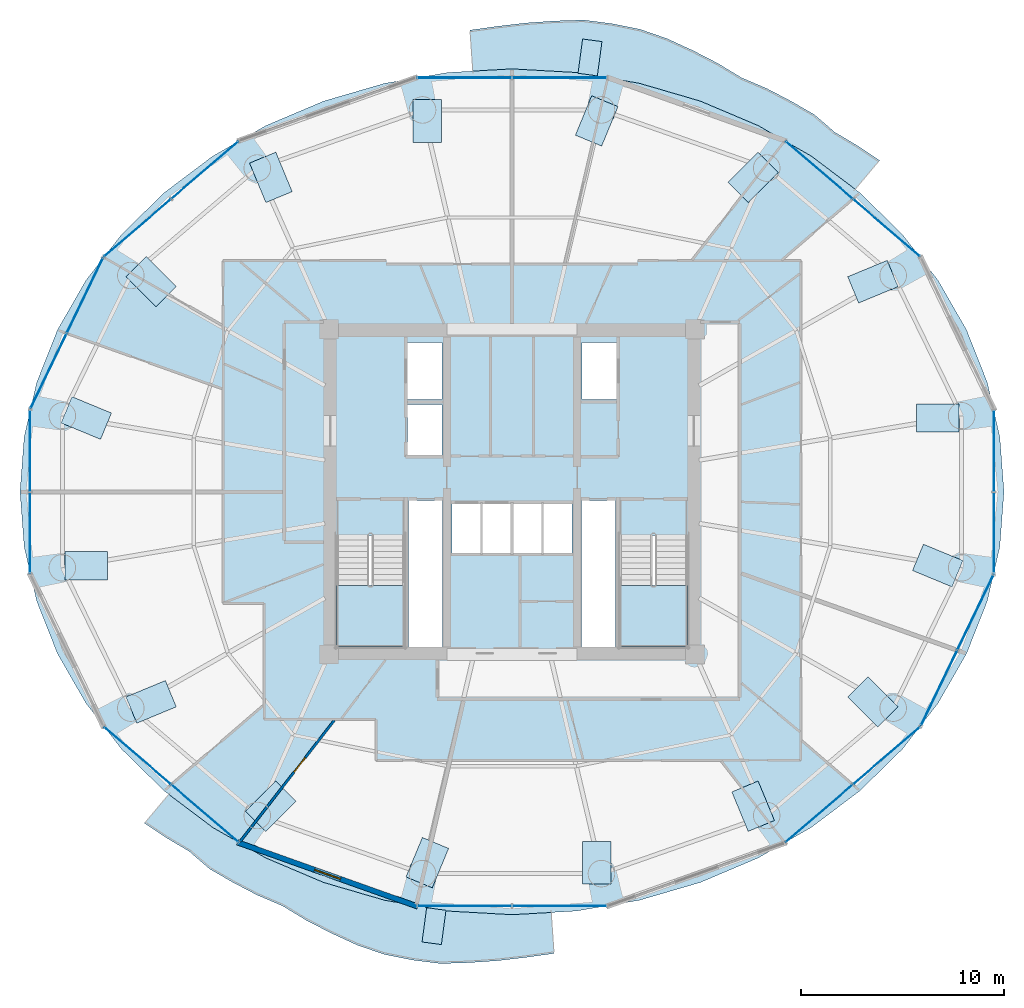
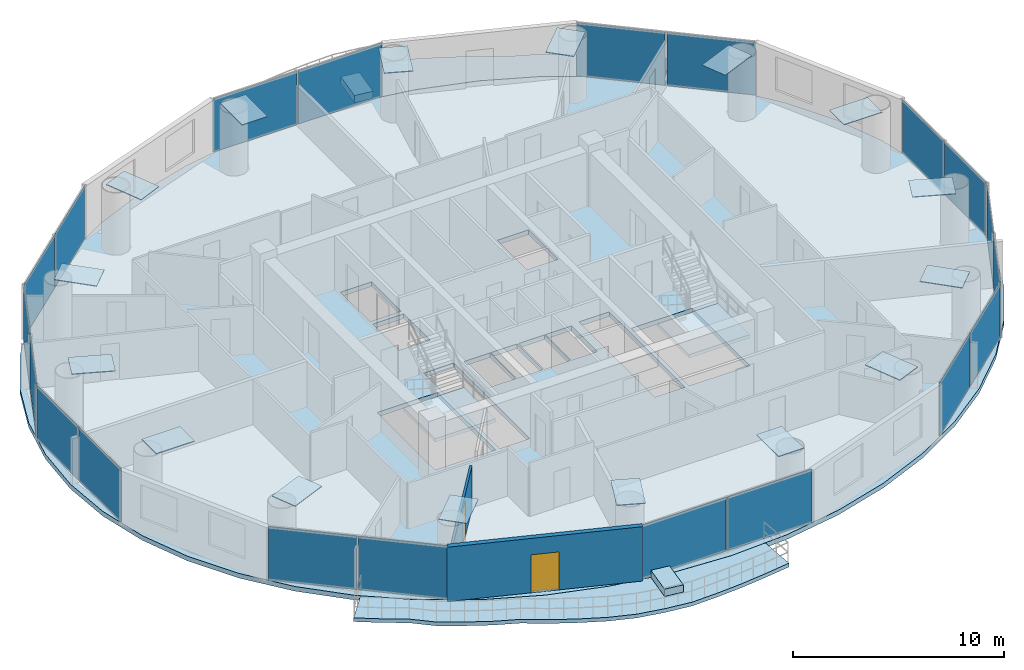
# One storey, part 19 of 26: 36 plates, 7 slabs, 2 doors, 2 walls, 2 openings, 12 elements without a shape of their own.
"""IFC4 building model written with IfcOpenShell, lengths in metres."""

from ifc_helpers import new_model, si_unit, direction, frame, frame_2d, origin, origin_2d, place, context, subcontext, project, spatial, polyline, rectangle, outline, extrude, source, transform, mapped, material, layer, layer_set, type_object, element, fill, aggregate, save


model = new_model("IFC4")

# Units and contexts
model_context = context("Model", 3, precision=1e-05, world=origin(), true_north=direction((-0.2419218956, 0.970295726276)))
body_context = subcontext(model_context, "Body", "Model", "MODEL_VIEW")
ifc_project = project(units=[si_unit("LENGTHUNIT", "METRE"), si_unit("AREAUNIT", "SQUARE_METRE"), si_unit("VOLUMEUNIT", "CUBIC_METRE"), si_unit("PLANEANGLEUNIT", "RADIAN"), si_unit("MASSUNIT", "GRAM", prefix="KILO")], contexts=[model_context])

# Site, building, storey
site_placement = place(None, origin())
site = spatial("IfcSite", under=ifc_project, at=site_placement, CompositionType="ELEMENT")
building_placement = place(site_placement, origin())
building = spatial("IfcBuilding", under=site, at=building_placement, Name="Cobrevalo Terracotta Tower", CompositionType="ELEMENT")
storey_placement = place(building_placement, frame((0.0, 0.0, 182.199951171875)))
storey = spatial("IfcBuildingStorey", under=building, at=storey_placement, Name="L48", CompositionType="ELEMENT", Elevation=182.199951171875)

# Stair, slab
ifc_material_1 = material(Name="Concrete C50", Category="concrete")
stair_type = type_object("IfcStairType", Name="Core protected escape dogleg stair 1600", PredefinedType="HALF_TURN_STAIR", material=ifc_material_1)
stair_1_placement = place(storey_placement, origin())
stair_1 = element("IfcStair", 1, at=stair_1_placement, inside=storey, type_object=stair_type, Name="L48 Protected exit stair ST-1", PredefinedType="HALF_TURN_STAIR")
ifc_layer_1 = layer(ifc_material_1, 0.199951171875)
ifc_layer_set_1 = layer_set([ifc_layer_1], Name="Concrete C50")
slab_type_1 = type_object("IfcSlabType", Name="Reinforced Concrete Stair Landing 200", PredefinedType="LANDING", material=ifc_layer_set_1)
slab_1_placement = place(storey_placement, frame((0.0, 0.0, 1.60009765625)))
slab_1 = element("IfcSlab", 2, at=slab_1_placement, type_object=slab_type_1, Name="ST-1 landing 1", PredefinedType="LANDING", context=body_context, shape_type="SweptSolid", body=[
    extrude(outline(polyline([(29.375, 22.179931640625), (29.375, 19.175048828125), (32.695068359375, 19.175048828125), (32.695068359375, 22.179931640625), (29.375, 22.179931640625)])), origin(), (0.0, 0.0, 1.0), 0.199951171875),
])
aggregate(stair_1, [slab_1])

stair_2_placement = place(storey_placement, origin())
stair_2 = element("IfcStair", 3, at=stair_2_placement, inside=storey, type_object=stair_type, Name="L48 Protected exit stair ST-2", PredefinedType="HALF_TURN_STAIR")
slab_2_placement = place(storey_placement, frame((0.0, 0.0, 1.60009765625)))
slab_2 = element("IfcSlab", 4, at=slab_2_placement, type_object=slab_type_1, Name="ST-2 landing 1", PredefinedType="LANDING", context=body_context, shape_type="SweptSolid", body=[
    extrude(outline(polyline([(43.304931640625, 22.179931640625), (43.304931640625, 19.175048828125), (46.625, 19.175048828125), (46.625, 22.179931640625), (43.304931640625, 22.179931640625)])), origin(), (0.0, 0.0, 1.0), 0.199951171875),
])
aggregate(stair_2, [slab_2])

# Slabs
ifc_material_2 = material(Name="Concrete C45", Category="concrete")
ifc_layer_2 = layer(ifc_material_2, 0.219970703125)
ifc_layer_set_2 = layer_set([ifc_layer_2], Name="Concrete C45")
slab_type_2 = type_object("IfcSlabType", Name="Spiralling cantilevered balcony lobe slab 220 mm", PredefinedType="FLOOR", material=ifc_layer_set_2)
slab_3_placement = place(storey_placement, frame((0.0, 0.0, -0.219970703125)))
element("IfcSlab", 5, at=slab_3_placement, inside=storey, type_object=slab_type_2, Name="L48 spiralling arc balcony slab lobe 1", PredefinedType="FLOOR", context=body_context, shape_type="SweptSolid", body=[
    extrude(outline(polyline([(56.08544921875, 43.096435546875), (54.9912109375, 43.822998046875), (53.86962890625, 44.491943359375), (52.861083984375, 45.360595703125), (51.70849609375, 46.022216796875), (50.5283203125, 46.63916015625), (49.28955078125, 47.166259765625), (48.118408203125, 47.876708984375), (46.885009765625, 48.511962890625), (45.611572265625, 49.096435546875), (44.286376953125, 49.552490234375), (42.90771484375, 49.82958984375), (41.514404296875, 50.005859375), (40.099609375, 49.9609375), (38.695068359375, 49.86181640625), (37.306396484375, 49.700439453125), (35.929443359375, 49.507080078125), (36.068359375, 47.4931640625), (38.0, 47.60205078125), (41.158935546875, 47.424072265625), (44.263916015625, 46.893310546875), (47.26171875, 46.0185546875), (50.10107421875, 44.81494140625), (52.733154296875, 43.30322265625), (54.89306640625, 41.67529296875), (56.08544921875, 43.096435546875)])), origin(), (0.0, 0.0, 1.0), 0.219970703125),
])
slab_4_placement = place(storey_placement, frame((0.0, 0.0, -0.219970703125)))
element("IfcSlab", 6, at=slab_4_placement, inside=storey, type_object=slab_type_2, Name="L48 spiralling arc balcony slab lobe 2", PredefinedType="FLOOR", context=body_context, shape_type="SweptSolid", body=[
    extrude(outline(polyline([(19.91455078125, 10.503662109375), (21.0087890625, 9.777099609375), (22.13037109375, 9.10791015625), (23.138916015625, 8.239501953125), (24.29150390625, 7.577880859375), (25.4716796875, 6.9609375), (26.71044921875, 6.433837890625), (27.881591796875, 5.72314453125), (29.114990234375, 5.088134765625), (30.388427734375, 4.50341796875), (31.713623046875, 4.047607421875), (33.09228515625, 3.770263671875), (34.485595703125, 3.593994140625), (35.900390625, 3.63916015625), (37.304931640625, 3.738037109375), (38.693603515625, 3.8994140625), (40.070556640625, 4.093017578125), (39.931640625, 6.10693359375), (38.0, 5.998046875), (34.841064453125, 6.176025390625), (31.736083984375, 6.706787109375), (28.73828125, 7.58154296875), (25.89892578125, 8.784912109375), (23.266845703125, 10.296630859375), (21.10693359375, 11.9248046875), (19.91455078125, 10.503662109375)])), origin(), (0.0, 0.0, 1.0), 0.219970703125),
])
ifc_material_3 = material(Name="Precast concrete C45", Category="concrete")
ifc_layer_3 = layer(ifc_material_3, 0.419921875)
ifc_layer_set_3 = layer_set([ifc_layer_3], Name="Precast concrete C45")
slab_type_3 = type_object("IfcSlabType", Name="Structural tree planter trough base 420 mm", PredefinedType="USERDEFINED", material=ifc_layer_set_3)
slab_5_placement = place(storey_placement, origin())
element("IfcSlab", 7, at=slab_5_placement, inside=storey, type_object=slab_type_3, Name="L48 structural tree planter trough 1", ObjectType="PLANTER", PredefinedType="USERDEFINED", context=body_context, shape_type="SweptSolid", body=[
    extrude(outline(polyline([(42.19873046875, 47.25830078125), (42.424560546875, 48.943359375), (41.472900390625, 49.07080078125), (41.247314453125, 47.3857421875), (42.19873046875, 47.25830078125)])), origin(), (0.0, 0.0, 1.0), 0.420166015625),
])
slab_6_placement = place(storey_placement, origin())
element("IfcSlab", 8, at=slab_6_placement, inside=storey, type_object=slab_type_3, Name="L48 structural tree planter trough 2", ObjectType="PLANTER", PredefinedType="USERDEFINED", context=body_context, shape_type="SweptSolid", body=[
    extrude(outline(polyline([(33.80126953125, 6.341552734375), (33.575439453125, 4.65673828125), (34.527099609375, 4.529296875), (34.752685546875, 6.214111328125), (33.80126953125, 6.341552734375)])), origin(), (0.0, 0.0, 1.0), 0.420166015625),
])
ifc_layer_4 = layer(ifc_material_1, 0.27001953125)
ifc_layer_set_4 = layer_set([ifc_layer_4], Name="Concrete C50")
slab_type_4 = type_object("IfcSlabType", Name="Zone Z3 elliptical floor plate 270 mm", PredefinedType="FLOOR", material=ifc_layer_set_4)
slab_7_placement = place(storey_placement, frame((0.0, 0.0, -0.27001953125)))
element("IfcSlab", 9, at=slab_7_placement, inside=storey, type_object=slab_type_4, Name="L48 indoor elliptical floor slab", PredefinedType="FLOOR", context=body_context, shape_type="SweptSolid", body=[
    extrude(outline(polyline([(61.992919921875, 24.0849609375), (61.37548828125, 21.41650390625), (60.35791015625, 18.840087890625), (58.957763671875, 16.39990234375), (57.19921875, 14.1376953125), (55.112060546875, 12.09228515625), (52.73193359375, 10.29833984375), (50.10009765625, 8.78662109375), (47.260986328125, 7.583251953125), (44.263427734375, 6.708740234375), (41.15869140625, 6.177978515625), (38.0, 6.0), (34.84130859375, 6.177978515625), (31.736572265625, 6.708740234375), (28.739013671875, 7.583251953125), (25.89990234375, 8.78662109375), (23.26806640625, 10.29833984375), (20.887939453125, 12.09228515625), (18.80078125, 14.1376953125), (17.042236328125, 16.39990234375), (15.64208984375, 18.840087890625), (14.62451171875, 21.41650390625), (14.007080078125, 24.0849609375), (13.800048828125, 26.800048828125), (14.007080078125, 29.514892578125), (14.62451171875, 32.183349609375), (15.64208984375, 34.759765625), (17.042236328125, 37.199951171875), (18.80078125, 39.462158203125), (20.887939453125, 41.5078125), (23.26806640625, 43.3017578125), (25.89990234375, 44.813232421875), (28.739013671875, 46.0166015625), (31.736572265625, 46.891357421875), (34.84130859375, 47.422119140625), (38.0, 47.60009765625), (41.15869140625, 47.422119140625), (44.263427734375, 46.891357421875), (47.260986328125, 46.0166015625), (50.10009765625, 44.813232421875), (52.73193359375, 43.3017578125), (55.112060546875, 41.5078125), (57.19921875, 39.462158203125), (58.957763671875, 37.199951171875), (60.35791015625, 34.759765625), (61.37548828125, 32.183349609375), (61.992919921875, 29.514892578125), (62.199951171875, 26.800048828125), (61.992919921875, 24.0849609375)]), holes=[polyline([(32.695068359375, 19.175048828125), (32.695068359375, 24.659912109375), (29.375, 24.659912109375), (29.375, 19.175048828125), (32.695068359375, 19.175048828125)]), polyline([(34.574951171875, 26.360107421875), (32.919921875, 26.360107421875), (32.919921875, 19.175048828125), (34.574951171875, 19.175048828125), (34.574951171875, 26.360107421875)]), polyline([(36.47998046875, 26.25), (35.050048828125, 26.25), (35.050048828125, 23.800048828125), (36.47998046875, 23.800048828125), (36.47998046875, 26.25)]), polyline([(37.9599609375, 23.800048828125), (37.9599609375, 26.25), (36.530029296875, 26.25), (36.530029296875, 23.800048828125), (37.9599609375, 23.800048828125)]), polyline([(34.550048828125, 28.60009765625), (34.550048828125, 31.10009765625), (32.85009765625, 31.10009765625), (32.85009765625, 28.60009765625), (34.550048828125, 28.60009765625)]), polyline([(34.550048828125, 34.14990234375), (32.85009765625, 34.14990234375), (32.85009765625, 31.35009765625), (34.550048828125, 31.35009765625), (34.550048828125, 34.14990234375)]), polyline([(43.304931640625, 19.175048828125), (46.625, 19.175048828125), (46.625, 24.659912109375), (43.304931640625, 24.659912109375), (43.304931640625, 19.175048828125)]), polyline([(43.080078125, 19.175048828125), (43.080078125, 26.360107421875), (41.425048828125, 26.360107421875), (41.425048828125, 19.175048828125), (43.080078125, 19.175048828125)]), polyline([(39.469970703125, 26.25), (38.0400390625, 26.25), (38.0400390625, 23.800048828125), (39.469970703125, 23.800048828125), (39.469970703125, 26.25)]), polyline([(40.949951171875, 23.800048828125), (40.949951171875, 26.25), (39.52001953125, 26.25), (39.52001953125, 23.800048828125), (40.949951171875, 23.800048828125)]), polyline([(43.14990234375, 31.35009765625), (43.14990234375, 34.14990234375), (41.449951171875, 34.14990234375), (41.449951171875, 31.35009765625), (43.14990234375, 31.35009765625)])]), origin(), (0.0, 0.0, 1.0), 0.27001953125),
])

# Plates
ifc_material_4 = material(Name="Steel S355", Category="steel")
ifc_layer_5 = layer(ifc_material_4, 0.044921875)
ifc_layer_set_5 = layer_set([ifc_layer_5], Name="Steel S355")
plate_type_1 = type_object("IfcPlateType", Name="Structural Cap Plate 2100x1400x45 (Steel S355)", PredefinedType="USERDEFINED", material=ifc_layer_set_5)
shared_shape_1 = source(origin(), body_context, "Body", "SweptSolid", [
    extrude(rectangle(XDim=2.10009765625, YDim=1.39990234375, at=origin_2d()), origin(), (0.0, 0.0, 1.0), 0.044921875),
])
for number, where, z_axis, x_axis, name in (
    (10, (58.939697265625, 30.4287109375, 3.57763671875), (0.0, 0.0, 1.0), (1.0, 0.0, 0.0), "L48 hollow end cap plate CAP-MCT-L48-01"),
    (11, (55.751953125, 37.133544921875, 3.57763671875), (0.0, 0.0, 1.0), (0.923879532511, 0.382683432365, 0.0), "L48 hollow end cap plate CAP-MCT-L48-02"),
    (12, (49.861328125, 42.265380859375, 3.57763671875), (0.0, 0.0, 1.0), (0.707106781187, 0.707106781187, 0.0), "L48 hollow end cap plate CAP-MCT-L48-03"),
    (13, (42.165283203125, 45.042724609375, 3.57763671875), (0.0, 0.0, 1.0), (0.382683432365, 0.923879532511, 0.0), "L48 hollow end cap plate CAP-MCT-L48-04"),
    (14, (33.834716796875, 45.042724609375, 3.57763671875), (0.0, 0.0, 1.0), (0.0, 1.0, 0.0), "L48 hollow end cap plate CAP-MCT-L48-05"),
    (15, (26.138671875, 42.265380859375, 3.57763671875), (0.0, 0.0, 1.0), (-0.382683432365, 0.923879532511, 0.0), "L48 hollow end cap plate CAP-MCT-L48-06"),
    (16, (20.248046875, 37.133544921875, 3.57763671875), (0.0, 0.0, 1.0), (-0.707106781187, 0.707106781187, 0.0), "L48 hollow end cap plate CAP-MCT-L48-07"),
    (17, (17.060302734375, 30.4287109375, 3.57763671875), (0.0, 0.0, 1.0), (-0.923879532511, 0.382683432365, 0.0), "L48 hollow end cap plate CAP-MCT-L48-08"),
    (18, (17.060302734375, 23.17138671875, 3.57763671875), (0.0, 0.0, 1.0), (-1.0, 0.0, 0.0), "L48 hollow end cap plate CAP-MCT-L48-09"),
    (19, (20.248046875, 16.46630859375, 3.57763671875), (0.0, 0.0, 1.0), (-0.923879532511, -0.382683432365, 0.0), "L48 hollow end cap plate CAP-MCT-L48-10"),
    (20, (26.138671875, 11.334716796875, 3.57763671875), (0.0, 0.0, 1.0), (-0.707106781187, -0.707106781187, 0.0), "L48 hollow end cap plate CAP-MCT-L48-11"),
    (21, (33.834716796875, 8.557373046875, 3.57763671875), (0.0, 0.0, 1.0), (-0.382683432365, -0.923879532511, 0.0), "L48 hollow end cap plate CAP-MCT-L48-12"),
    (22, (42.165283203125, 8.557373046875, 3.57763671875), (0.0, 0.0, 1.0), (0.0, -1.0, 0.0), "L48 hollow end cap plate CAP-MCT-L48-13"),
    (23, (49.861328125, 11.334716796875, 3.57763671875), (0.0, 0.0, 1.0), (0.382683432365, -0.923879532511, 0.0), "L48 hollow end cap plate CAP-MCT-L48-14"),
    (24, (55.751953125, 16.46630859375, 3.57763671875), (0.0, 0.0, 1.0), (0.707106781187, -0.707106781187, 0.0), "L48 hollow end cap plate CAP-MCT-L48-15"),
    (25, (58.939697265625, 23.17138671875, 3.57763671875), (0.0, 0.0, 1.0), (0.923879532511, -0.382683432365, 0.0), "L48 hollow end cap plate CAP-MCT-L48-16"),
):
    element("IfcPlate", number, at=place(storey_placement, frame(where, z_axis=z_axis, x_axis=x_axis)), inside=storey, type_object=plate_type_1, Name=name, ObjectType="CAP PLATE", PredefinedType="USERDEFINED", context=body_context, shape_type="MappedRepresentation", body=[
        mapped(shared_shape_1, transform((0.0, 0.0, 0.0), scale=1.0)),
    ])

# Curtain wall, plates
ifc_material_5 = material(Name="Anodized aluminium", Category="aluminium")
curtain_wall_type = type_object("IfcCurtainWallType", Name="Mid-tower high-wind unitised curtain wall CW-U2", PredefinedType="NOTDEFINED", material=ifc_material_5)
curtain_wall_1_placement = place(storey_placement, origin())
curtain_wall_1 = element("IfcCurtainWall", 26, at=curtain_wall_1_placement, inside=storey, type_object=curtain_wall_type, Name="L48 curtain wall CW-L48-S02", PredefinedType="NOTDEFINED")
ifc_material_6 = material(Name="Solar-control low-E double glazing", Category="glass")
ifc_layer_6 = layer(ifc_material_6, 0.028076171875)
ifc_layer_set_6 = layer_set([ifc_layer_6], Name="Solar-control low-E double glazing")
plate_type_2 = type_object("IfcPlateType", Name="Tower solar-control low-E vision glass panel 28 mm", PredefinedType="CURTAIN_PANEL", material=ifc_layer_set_6)
shared_shape_2 = source(origin(), body_context, "Body", "SweptSolid", [
    extrude(rectangle(XDim=4.276123046875, YDim=0.035888671875, at=origin_2d()), origin(), (0.0, 0.0, 1.0), 3.070068359375),
])
plate_1_placement = place(storey_placement, frame((56.414306640625, 39.784912109375, 0.0400390625), z_axis=(0.0, 0.0, 1.0), x_axis=(-0.758436996112, 0.651746363955, 0.0)))
plate_1 = element("IfcPlate", 27, at=plate_1_placement, type_object=plate_type_2, Name="CW-L48-S02 glazing panel B01", PredefinedType="CURTAIN_PANEL", context=body_context, shape_type="MappedRepresentation", body=[
    mapped(shared_shape_2, transform((0.0, 0.0, 0.0), scale=1.0)),
])
plate_2_placement = place(storey_placement, frame((53.1103515625, 42.6240234375, 0.0400390625), z_axis=(0.0, 0.0, 1.0), x_axis=(-0.758436996112, 0.651746363955, 0.0)))
plate_2 = element("IfcPlate", 28, at=plate_2_placement, type_object=plate_type_2, Name="CW-L48-S02 glazing panel B02", PredefinedType="CURTAIN_PANEL", context=body_context, shape_type="MappedRepresentation", body=[
    mapped(shared_shape_2, transform((0.0, 0.0, 0.0), scale=1.0)),
])
aggregate(curtain_wall_1, [plate_1, plate_2])

curtain_wall_2_placement = place(storey_placement, origin())
curtain_wall_2 = element("IfcCurtainWall", 29, at=curtain_wall_2_placement, inside=storey, type_object=curtain_wall_type, Name="L48 curtain wall CW-L48-S06", PredefinedType="NOTDEFINED")
plate_3_placement = place(storey_placement, frame((22.8896484375, 42.6240234375, 0.0400390625), z_axis=(0.0, 0.0, 1.0), x_axis=(-0.758436996112, -0.651746363955, 0.0)))
plate_3 = element("IfcPlate", 30, at=plate_3_placement, type_object=plate_type_2, Name="CW-L48-S06 glazing panel B01", PredefinedType="CURTAIN_PANEL", context=body_context, shape_type="MappedRepresentation", body=[
    mapped(shared_shape_2, transform((0.0, 0.0, 0.0), scale=1.0)),
])
plate_4_placement = place(storey_placement, frame((19.585693359375, 39.784912109375, 0.0400390625), z_axis=(0.0, 0.0, 1.0), x_axis=(-0.758436996112, -0.651746363955, 0.0)))
plate_4 = element("IfcPlate", 31, at=plate_4_placement, type_object=plate_type_2, Name="CW-L48-S06 glazing panel B02", PredefinedType="CURTAIN_PANEL", context=body_context, shape_type="MappedRepresentation", body=[
    mapped(shared_shape_2, transform((0.0, 0.0, 0.0), scale=1.0)),
])
aggregate(curtain_wall_2, [plate_3, plate_4])

curtain_wall_3_placement = place(storey_placement, origin())
curtain_wall_3 = element("IfcCurtainWall", 32, at=curtain_wall_3_placement, inside=storey, type_object=curtain_wall_type, Name="L48 curtain wall CW-L48-S10", PredefinedType="NOTDEFINED")
plate_5_placement = place(storey_placement, frame((19.585693359375, 13.815185546875, 0.0400390625), z_axis=(0.0, 0.0, 1.0), x_axis=(0.758436996112, -0.651746363955, 0.0)))
plate_5 = element("IfcPlate", 33, at=plate_5_placement, type_object=plate_type_2, Name="CW-L48-S10 glazing panel B01", PredefinedType="CURTAIN_PANEL", context=body_context, shape_type="MappedRepresentation", body=[
    mapped(shared_shape_2, transform((0.0, 0.0, 0.0), scale=1.0)),
])
plate_6_placement = place(storey_placement, frame((22.8896484375, 10.97607421875, 0.0400390625), z_axis=(0.0, 0.0, 1.0), x_axis=(0.758436996112, -0.651746363955, 0.0)))
plate_6 = element("IfcPlate", 34, at=plate_6_placement, type_object=plate_type_2, Name="CW-L48-S10 glazing panel B02", PredefinedType="CURTAIN_PANEL", context=body_context, shape_type="MappedRepresentation", body=[
    mapped(shared_shape_2, transform((0.0, 0.0, 0.0), scale=1.0)),
])
aggregate(curtain_wall_3, [plate_5, plate_6])

curtain_wall_4_placement = place(storey_placement, origin())
curtain_wall_4 = element("IfcCurtainWall", 35, at=curtain_wall_4_placement, inside=storey, type_object=curtain_wall_type, Name="L48 curtain wall CW-L48-S14", PredefinedType="NOTDEFINED")
plate_7_placement = place(storey_placement, frame((53.1103515625, 10.97607421875, 0.0400390625), z_axis=(0.0, 0.0, 1.0), x_axis=(0.758436996112, 0.651746363955, 0.0)))
plate_7 = element("IfcPlate", 36, at=plate_7_placement, type_object=plate_type_2, Name="CW-L48-S14 glazing panel B01", PredefinedType="CURTAIN_PANEL", context=body_context, shape_type="MappedRepresentation", body=[
    mapped(shared_shape_2, transform((0.0, 0.0, 0.0), scale=1.0)),
])
plate_8_placement = place(storey_placement, frame((56.414306640625, 13.815185546875, 0.0400390625), z_axis=(0.0, 0.0, 1.0), x_axis=(0.758436996112, 0.651746363955, 0.0)))
plate_8 = element("IfcPlate", 37, at=plate_8_placement, type_object=plate_type_2, Name="CW-L48-S14 glazing panel B02", PredefinedType="CURTAIN_PANEL", context=body_context, shape_type="MappedRepresentation", body=[
    mapped(shared_shape_2, transform((0.0, 0.0, 0.0), scale=1.0)),
])
aggregate(curtain_wall_4, [plate_7, plate_8])

curtain_wall_5_placement = place(storey_placement, origin())
curtain_wall_5 = element("IfcCurtainWall", 38, at=curtain_wall_5_placement, inside=storey, type_object=curtain_wall_type, Name="L48 curtain wall CW-L48-S04", PredefinedType="NOTDEFINED")
shared_shape_3 = source(origin(), body_context, "Body", "SweptSolid", [
    extrude(rectangle(XDim=4.59521484375, YDim=0.035888671875, at=origin_2d()), origin(), (0.0, 0.0, 1.0), 3.070068359375),
])
plate_9_placement = place(storey_placement, frame((40.337646484375, 47.1708984375, 0.0400390625), z_axis=(0.0, 0.0, 1.0), x_axis=(-1.0, 0.0, 0.0)))
plate_9 = element("IfcPlate", 39, at=plate_9_placement, type_object=plate_type_2, Name="CW-L48-S04 glazing panel B01", PredefinedType="CURTAIN_PANEL", context=body_context, shape_type="MappedRepresentation", body=[
    mapped(shared_shape_3, transform((0.0, 0.0, 0.0), scale=1.0)),
])
plate_10_placement = place(storey_placement, frame((35.662353515625, 47.1708984375, 0.0400390625), z_axis=(0.0, 0.0, 1.0), x_axis=(-1.0, 0.0, 0.0)))
plate_10 = element("IfcPlate", 40, at=plate_10_placement, type_object=plate_type_2, Name="CW-L48-S04 glazing panel B02", PredefinedType="CURTAIN_PANEL", context=body_context, shape_type="MappedRepresentation", body=[
    mapped(shared_shape_3, transform((0.0, 0.0, 0.0), scale=1.0)),
])
aggregate(curtain_wall_5, [plate_9, plate_10])

curtain_wall_6_placement = place(storey_placement, origin())
curtain_wall_6 = element("IfcCurtainWall", 41, at=curtain_wall_6_placement, inside=storey, type_object=curtain_wall_type, Name="L48 curtain wall CW-L48-S12", PredefinedType="NOTDEFINED")
plate_11_placement = place(storey_placement, frame((35.662353515625, 6.42919921875, 0.0400390625), z_axis=(0.0, 0.0, 1.0), x_axis=(1.0, 0.0, 0.0)))
plate_11 = element("IfcPlate", 42, at=plate_11_placement, type_object=plate_type_2, Name="CW-L48-S12 glazing panel B01", PredefinedType="CURTAIN_PANEL", context=body_context, shape_type="MappedRepresentation", body=[
    mapped(shared_shape_3, transform((0.0, 0.0, 0.0), scale=1.0)),
])
plate_12_placement = place(storey_placement, frame((40.337646484375, 6.42919921875, 0.0400390625), z_axis=(0.0, 0.0, 1.0), x_axis=(1.0, 0.0, 0.0)))
plate_12 = element("IfcPlate", 43, at=plate_12_placement, type_object=plate_type_2, Name="CW-L48-S12 glazing panel B02", PredefinedType="CURTAIN_PANEL", context=body_context, shape_type="MappedRepresentation", body=[
    mapped(shared_shape_3, transform((0.0, 0.0, 0.0), scale=1.0)),
])
aggregate(curtain_wall_6, [plate_11, plate_12])

curtain_wall_7_placement = place(storey_placement, origin())
curtain_wall_7 = element("IfcCurtainWall", 44, at=curtain_wall_7_placement, inside=storey, type_object=curtain_wall_type, Name="L48 curtain wall CW-L48-S07", PredefinedType="NOTDEFINED")
shared_shape_4 = source(origin(), body_context, "Body", "SweptSolid", [
    extrude(rectangle(XDim=4.035888671875, YDim=0.035888671875, at=origin_2d()), origin(), (0.0, 0.0, 1.0), 3.070068359375),
])
plate_13_placement = place(storey_placement, frame((16.992431640625, 36.449462890625, 0.0400390625), z_axis=(0.0, 0.0, 1.0), x_axis=(-0.434209440271, -0.900811945957, 0.0)))
plate_13 = element("IfcPlate", 45, at=plate_13_placement, type_object=plate_type_2, Name="CW-L48-S07 glazing panel B01", PredefinedType="CURTAIN_PANEL", context=body_context, shape_type="MappedRepresentation", body=[
    mapped(shared_shape_4, transform((0.0, 0.0, 0.0), scale=1.0)),
])
plate_14_placement = place(storey_placement, frame((15.205322265625, 32.741943359375, 0.0400390625), z_axis=(0.0, 0.0, 1.0), x_axis=(-0.434209440271, -0.900811945957, 0.0)))
plate_14 = element("IfcPlate", 46, at=plate_14_placement, type_object=plate_type_2, Name="CW-L48-S07 glazing panel B02", PredefinedType="CURTAIN_PANEL", context=body_context, shape_type="MappedRepresentation", body=[
    mapped(shared_shape_4, transform((0.0, 0.0, 0.0), scale=1.0)),
])
aggregate(curtain_wall_7, [plate_13, plate_14])

curtain_wall_8_placement = place(storey_placement, origin())
curtain_wall_8 = element("IfcCurtainWall", 47, at=curtain_wall_8_placement, inside=storey, type_object=curtain_wall_type, Name="L48 curtain wall CW-L48-S15", PredefinedType="NOTDEFINED")
plate_15_placement = place(storey_placement, frame((59.007568359375, 17.150634765625, 0.0400390625), z_axis=(0.0, 0.0, 1.0), x_axis=(0.434209440271, 0.900811945957, 0.0)))
plate_15 = element("IfcPlate", 48, at=plate_15_placement, type_object=plate_type_2, Name="CW-L48-S15 glazing panel B01", PredefinedType="CURTAIN_PANEL", context=body_context, shape_type="MappedRepresentation", body=[
    mapped(shared_shape_4, transform((0.0, 0.0, 0.0), scale=1.0)),
])
plate_16_placement = place(storey_placement, frame((60.794677734375, 20.858154296875, 0.0400390625), z_axis=(0.0, 0.0, 1.0), x_axis=(0.434209440271, 0.900811945957, 0.0)))
plate_16 = element("IfcPlate", 49, at=plate_16_placement, type_object=plate_type_2, Name="CW-L48-S15 glazing panel B02", PredefinedType="CURTAIN_PANEL", context=body_context, shape_type="MappedRepresentation", body=[
    mapped(shared_shape_4, transform((0.0, 0.0, 0.0), scale=1.0)),
])
aggregate(curtain_wall_8, [plate_15, plate_16])

curtain_wall_9_placement = place(storey_placement, origin())
curtain_wall_9 = element("IfcCurtainWall", 50, at=curtain_wall_9_placement, inside=storey, type_object=curtain_wall_type, Name="L48 curtain wall CW-L48-S08", PredefinedType="NOTDEFINED")
shared_shape_5 = source(origin(), body_context, "Body", "SweptSolid", [
    extrude(rectangle(XDim=3.931884765625, YDim=0.035888671875, at=origin_2d()), origin(), (0.0, 0.0, 1.0), 3.070068359375),
])
plate_17_placement = place(storey_placement, frame((14.29443359375, 28.805908203125, 0.0400390625), z_axis=(0.0, 0.0, 1.0), x_axis=(0.0, -1.0, 0.0)))
plate_17 = element("IfcPlate", 51, at=plate_17_placement, type_object=plate_type_2, Name="CW-L48-S08 glazing panel B01", PredefinedType="CURTAIN_PANEL", context=body_context, shape_type="MappedRepresentation", body=[
    mapped(shared_shape_5, transform((0.0, 0.0, 0.0), scale=1.0)),
])
plate_18_placement = place(storey_placement, frame((14.29443359375, 24.7939453125, 0.0400390625), z_axis=(0.0, 0.0, 1.0), x_axis=(0.0, -1.0, 0.0)))
plate_18 = element("IfcPlate", 52, at=plate_18_placement, type_object=plate_type_2, Name="CW-L48-S08 glazing panel B02", PredefinedType="CURTAIN_PANEL", context=body_context, shape_type="MappedRepresentation", body=[
    mapped(shared_shape_5, transform((0.0, 0.0, 0.0), scale=1.0)),
])
aggregate(curtain_wall_9, [plate_17, plate_18])

curtain_wall_10_placement = place(storey_placement, origin())
curtain_wall_10 = element("IfcCurtainWall", 53, at=curtain_wall_10_placement, inside=storey, type_object=curtain_wall_type, Name="L48 curtain wall CW-L48-S16", PredefinedType="NOTDEFINED")
plate_19_placement = place(storey_placement, frame((61.70556640625, 24.7939453125, 0.0400390625), z_axis=(0.0, 0.0, 1.0), x_axis=(0.0, 1.0, 0.0)))
plate_19 = element("IfcPlate", 54, at=plate_19_placement, type_object=plate_type_2, Name="CW-L48-S16 glazing panel B01", PredefinedType="CURTAIN_PANEL", context=body_context, shape_type="MappedRepresentation", body=[
    mapped(shared_shape_5, transform((0.0, 0.0, 0.0), scale=1.0)),
])
plate_20_placement = place(storey_placement, frame((61.70556640625, 28.805908203125, 0.0400390625), z_axis=(0.0, 0.0, 1.0), x_axis=(0.0, 1.0, 0.0)))
plate_20 = element("IfcPlate", 55, at=plate_20_placement, type_object=plate_type_2, Name="CW-L48-S16 glazing panel B02", PredefinedType="CURTAIN_PANEL", context=body_context, shape_type="MappedRepresentation", body=[
    mapped(shared_shape_5, transform((0.0, 0.0, 0.0), scale=1.0)),
])
aggregate(curtain_wall_10, [plate_19, plate_20])

# Wall, opening, door
ifc_material_7 = material(Name="Autoclaved aerated concrete block", Category="concrete")
ifc_layer_7 = layer(ifc_material_7, 0.260009765625)
ifc_layer_set_7 = layer_set([ifc_layer_7], Name="Autoclaved aerated concrete block")
wall_type_1 = type_object("IfcWallType", Name="Recessed balcony loggia insulated exterior wall 260 mm", PredefinedType="SOLIDWALL", material=ifc_layer_set_7)
wall_1_placement = place(storey_placement, frame((24.49658203125, 9.55712890625, 0.0), z_axis=(0.0, 0.0, 1.0), x_axis=(0.942103604331, -0.335321932934, 0.0)))
wall_1 = element("IfcWall", 56, at=wall_1_placement, inside=storey, type_object=wall_type_1, Name="L48 balcony loggia wall S11", PredefinedType="SOLIDWALL", context=body_context, shape_type="SweptSolid", body=[
    extrude(rectangle(XDim=9.408203125, YDim=0.260009765625, at=frame_2d((4.7041015625, 0.0))), origin(), (0.0, 0.0, 1.0), 3.150146484375),
])
opening_1_placement = place(wall_1_placement, frame((4.029052734375, 0.0, 0.0)))
opening_1 = element("IfcOpeningElement", 57, at=opening_1_placement, cuts=wall_1, Name="Opening ED-05", PredefinedType="OPENING", context=body_context, shape_type="SweptSolid", body=[
    extrude(rectangle(XDim=1.35009765625, YDim=2.199951171875, at=frame_2d((0.675048828125, 1.10009765625))), frame((0.0, 0.14013671875, 0.0), z_axis=(0.0, -1.0, 0.0), x_axis=(1.0, 0.0, 0.0)), (0.0, 0.0, 1.0), 0.280029296875),
])
ifc_material_8 = material(Name="Anodized aluminium and laminated glass", Category="aluminium")
door_type_1 = type_object("IfcDoorType", Name="Suite balcony acoustic glazed terrace door 1350x2200", OperationType="NOTDEFINED", PredefinedType="DOOR", material=ifc_material_8)
shared_shape_6 = source(origin(), body_context, "Body", "SweptSolid", [
    extrude(rectangle(XDim=1.35009765625, YDim=2.199951171875, at=frame_2d((0.675048828125, 1.10009765625))), frame((0.0, 0.02490234375, 0.0), z_axis=(0.0, -1.0, 0.0), x_axis=(1.0, 0.0, 0.0)), (0.0, 0.0, 1.0), 0.050048828125),
])
door_1_placement = place(opening_1_placement, frame((1.35009765625, 0.0, 0.0), z_axis=(0.0, 0.0, 1.0), x_axis=(-1.0, 0.0, 0.0)))
door_1 = element("IfcDoor", 58, at=door_1_placement, inside=storey, type_object=door_type_1, Name="L48 glazed balcony terrace door 2", OperationType="SINGLE_SWING_RIGHT", OverallHeight=2.199951171875, OverallWidth=1.35009765625, PredefinedType="DOOR", context=body_context, shape_type="MappedRepresentation", body=[
    mapped(shared_shape_6, transform((0.0, 0.0, 0.0), scale=1.0)),
])
fill(opening_1, door_1)

ifc_material_9 = material(Name="Gypsum board on steel stud", Category="steel")
ifc_layer_8 = layer(ifc_material_9, 0.1201171875)
ifc_layer_set_8 = layer_set([ifc_layer_8], Name="Gypsum board on steel stud")
wall_type_2 = type_object("IfcWallType", Name="Residential internal acoustic stud partition 120 mm", PredefinedType="PARTITIONING", material=ifc_layer_set_8)
wall_2_placement = place(storey_placement, frame((29.259033203125, 15.55615234375, 0.0), z_axis=(0.0, 0.0, 1.0), x_axis=(-0.61375493029, -0.789496602617, 0.0)))
wall_2 = element("IfcWall", 59, at=wall_2_placement, inside=storey, type_object=wall_type_2, Name="L48 interior partition IW-L48-U3-ORAD2M1", PredefinedType="PARTITIONING", context=body_context, shape_type="SweptSolid", body=[
    extrude(rectangle(XDim=7.555908203125, YDim=0.1201171875, at=frame_2d((3.77783203125, 0.0))), origin(), (0.0, 0.0, 1.0), 2.5),
])
opening_2_placement = place(wall_2_placement, frame((2.324951171875, 0.0, 0.0)))
opening_2 = element("IfcOpeningElement", 60, at=opening_2_placement, cuts=wall_2, Name="Opening ID-12", PredefinedType="OPENING", context=body_context, shape_type="SweptSolid", body=[
    extrude(rectangle(XDim=0.89990234375, YDim=2.14990234375, at=frame_2d((0.449951171875, 1.074951171875))), frame((0.0, 0.070068359375, 0.0), z_axis=(0.0, -1.0, 0.0), x_axis=(1.0, 0.0, 0.0)), (0.0, 0.0, 1.0), 0.14013671875),
])
ifc_material_10 = material(Name="Engineered timber", Category="wood")
door_type_2 = type_object("IfcDoorType", Name="Internal residence & suite timber door 900x2150", OperationType="NOTDEFINED", PredefinedType="DOOR", material=ifc_material_10)
shared_shape_7 = source(origin(), body_context, "Body", "SweptSolid", [
    extrude(rectangle(XDim=0.89990234375, YDim=2.14990234375, at=frame_2d((0.449951171875, 1.074951171875))), frame((0.0, 0.02490234375, 0.0), z_axis=(0.0, -1.0, 0.0), x_axis=(1.0, 0.0, 0.0)), (0.0, 0.0, 1.0), 0.050048828125),
])
door_2_placement = place(opening_2_placement, frame((0.89990234375, 0.0, 0.0), z_axis=(0.0, 0.0, 1.0), x_axis=(-1.0, 0.0, 0.0)))
door_2 = element("IfcDoor", 61, at=door_2_placement, inside=storey, type_object=door_type_2, Name="Flat L48C Master Bedroom internal door", OperationType="SINGLE_SWING_RIGHT", OverallHeight=2.14990234375, OverallWidth=0.89990234375, PredefinedType="DOOR", context=body_context, shape_type="MappedRepresentation", body=[
    mapped(shared_shape_7, transform((0.0, 0.0, 0.0), scale=1.0)),
])
fill(opening_2, door_2)

save(model, "model.ifc")
